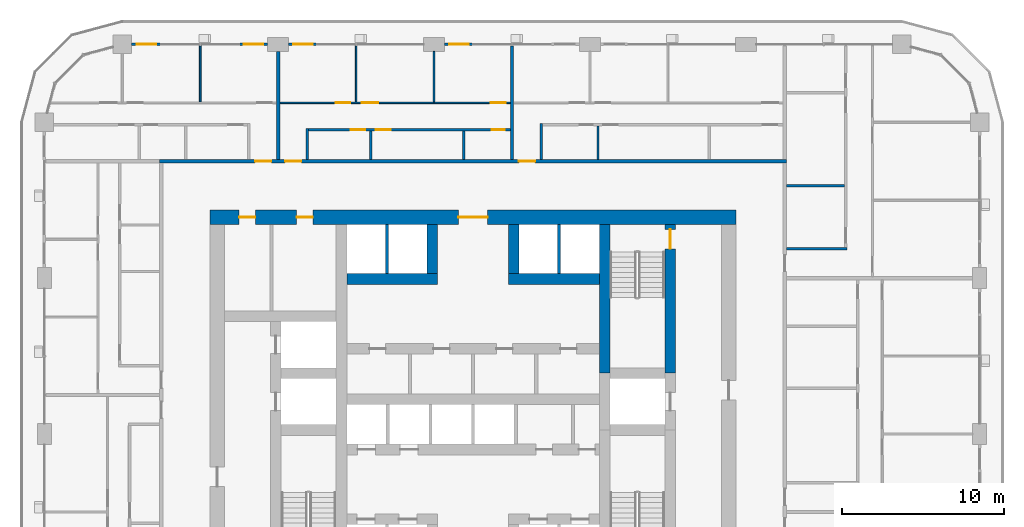
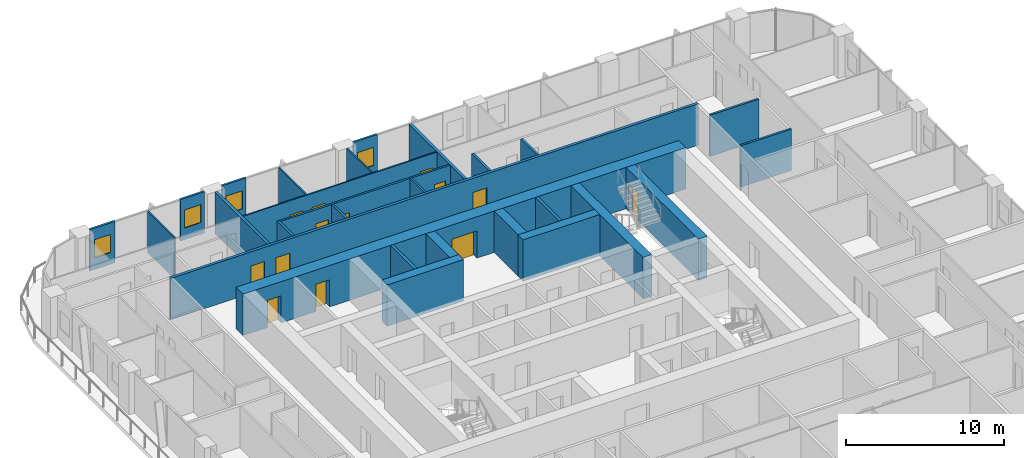
# One storey, part 14 of 22: 28 walls, 13 doors, 4 windows, 17 openings.
"""IFC4 building model written with IfcOpenShell, lengths in metres."""

from ifc_helpers import new_model, si_unit, direction, frame, frame_2d, origin, place, context, subcontext, project, spatial, rectangle, extrude, material, layer, layer_set, type_object, element, fill, save


model = new_model("IFC4")

# Units and contexts
model_context = context("Model", 3, precision=1e-05, world=origin(), true_north=direction((0.0, 1.0)))
body_context = subcontext(model_context, "Body", "Model", "MODEL_VIEW")
ifc_project = project(units=[si_unit("LENGTHUNIT", "METRE"), si_unit("AREAUNIT", "SQUARE_METRE"), si_unit("VOLUMEUNIT", "CUBIC_METRE"), si_unit("PLANEANGLEUNIT", "RADIAN"), si_unit("MASSUNIT", "GRAM", prefix="KILO")], contexts=[model_context])

# Site, building, storey
site_placement = place(None, origin())
site = spatial("IfcSite", under=ifc_project, at=site_placement, CompositionType="ELEMENT")
building_placement = place(site_placement, origin())
building = spatial("IfcBuilding", under=site, at=building_placement, Name="Madar Terraces", CompositionType="ELEMENT")
storey_placement = place(building_placement, frame((0.0, 0.0, 69.800048828125)))
storey = spatial("IfcBuildingStorey", under=building, at=storey_placement, Name="L17", CompositionType="ELEMENT", Elevation=69.800048828125)

# Wall
ifc_material_1 = material(Name="Concrete C80/95", Category="concrete")
ifc_layer_1 = layer(ifc_material_1, 0.64990234375)
ifc_layer_set_1 = layer_set([ifc_layer_1], Name="Concrete C80/95 (CIW2 RC wall 650)")
wall_type_1 = type_object("IfcWallType", Name="CIW2 RC wall 650", PredefinedType="SHEAR", material=ifc_layer_set_1)
wall_1_placement = place(storey_placement, frame((39.300048828125, 27.75, 0.0), z_axis=(0.0, 0.0, 1.0), x_axis=(0.0, 1.0, 0.0)))
element("IfcWall", 1, at=wall_1_placement, inside=storey, type_object=wall_type_1, Name="CORE SHAFT WALL", PredefinedType="SHEAR", context=body_context, shape_type="SweptSolid", body=[
    extrude(rectangle(XDim=9.14990234375, YDim=0.64990234375, at=frame_2d((4.574951171875, 0.0))), origin(), (0.0, 0.0, 1.0), 3.199951171875),
])

# Wall, opening, door
wall_2_placement = place(storey_placement, frame((43.35009765625, 27.75, 0.0), z_axis=(0.0, 0.0, 1.0), x_axis=(0.0, 1.0, 0.0)))
wall_2 = element("IfcWall", 2, at=wall_2_placement, inside=storey, type_object=wall_type_1, Name="CORE SHAFT WALL", PredefinedType="SHEAR", context=body_context, shape_type="SweptSolid", body=[
    extrude(rectangle(XDim=9.14990234375, YDim=0.64990234375, at=frame_2d((4.574951171875, 0.0))), origin(), (0.0, 0.0, 1.0), 3.199951171875),
])
opening_1_placement = place(wall_2_placement, frame((7.64990234375, 0.0, 0.0)))
opening_1 = element("IfcOpeningElement", 3, at=opening_1_placement, cuts=wall_2, Name="Opening SD1", PredefinedType="OPENING", context=body_context, shape_type="SweptSolid", body=[
    extrude(rectangle(XDim=1.199951171875, YDim=2.10009765625, at=frame_2d((0.60009765625, 1.050048828125))), frame((0.0, 0.3349609375, 0.0), z_axis=(0.0, -1.0, 0.0), x_axis=(1.0, 0.0, 0.0)), (0.0, 0.0, 1.0), 0.669921875),
])
ifc_material_2 = material(Name="Steel door leaf", Category="steel")
door_type_1 = type_object("IfcDoorType", Name="Stair door 1200 x 2100", OperationType="NOTDEFINED", PredefinedType="DOOR", material=ifc_material_2)
door_1_placement = place(opening_1_placement, origin())
door_1 = element("IfcDoor", 4, at=door_1_placement, inside=storey, type_object=door_type_1, Name="STAIR DOOR", OperationType="SINGLE_SWING_LEFT", OverallHeight=2.10009765625, OverallWidth=1.199951171875, PredefinedType="DOOR", context=body_context, shape_type="SweptSolid", body=[
    extrude(rectangle(XDim=1.199951171875, YDim=2.10009765625, at=frame_2d((0.60009765625, 1.050048828125))), frame((0.0, 0.02490234375, 0.0), z_axis=(0.0, -1.0, 0.0), x_axis=(1.0, 0.0, 0.0)), (0.0, 0.0, 1.0), 0.050048828125),
])
fill(opening_1, door_1)

# Walls
wall_3_placement = place(storey_placement, frame((23.425048828125, 33.550048828125, 0.0), z_axis=(0.0, 0.0, 1.0), x_axis=(1.0, 0.0, 0.0)))
element("IfcWall", 5, at=wall_3_placement, inside=storey, type_object=wall_type_1, Name="CORE SHAFT WALL", PredefinedType="SHEAR", context=body_context, shape_type="SweptSolid", body=[
    extrude(rectangle(XDim=5.599853515625, YDim=0.64990234375, at=frame_2d((2.7998046875, 0.0))), origin(), (0.0, 0.0, 1.0), 3.199951171875),
])
wall_4_placement = place(storey_placement, frame((33.375, 33.550048828125, 0.0), z_axis=(0.0, 0.0, 1.0), x_axis=(1.0, 0.0, 0.0)))
element("IfcWall", 6, at=wall_4_placement, inside=storey, type_object=wall_type_1, Name="CORE SHAFT WALL", PredefinedType="SHEAR", context=body_context, shape_type="SweptSolid", body=[
    extrude(rectangle(XDim=5.60009765625, YDim=0.64990234375, at=frame_2d((2.800048828125, 0.0))), origin(), (0.0, 0.0, 1.0), 3.199951171875),
])
for number, where, z_axis, x_axis, name in (
    (7, (28.699951171875, 33.875, 0.0), (0.0, 0.0, 1.0), (0.0, 1.0, 0.0), "CORE SHAFT WALL"),
    (8, (33.699951171875, 33.875, 0.0), (0.0, 0.0, 1.0), (0.0, 1.0, 0.0), "CORE SHAFT WALL"),
):
    element("IfcWall", number, at=place(storey_placement, frame(where, z_axis=z_axis, x_axis=x_axis)), inside=storey, type_object=wall_type_1, Name=name, PredefinedType="SHEAR", context=body_context, shape_type="SweptSolid", body=[
        extrude(rectangle(XDim=3.02490234375, YDim=0.64990234375, at=frame_2d((1.512451171875, 0.0))), origin(), (0.0, 0.0, 1.0), 3.199951171875),
    ])

# Wall, openings, doors
ifc_material_3 = material(Name="Concrete C80/95", Category="concrete")
ifc_layer_2 = layer(ifc_material_3, 0.89990234375)
ifc_layer_set_2 = layer_set([ifc_layer_2], Name="Concrete C80/95 (CRW2 RC wall 900)")
wall_type_2 = type_object("IfcWallType", Name="CRW2 RC wall 900", PredefinedType="SHEAR", material=ifc_layer_set_2)
wall_5_placement = place(storey_placement, frame((15.0, 37.35009765625, 0.0), z_axis=(0.0, 0.0, 1.0), x_axis=(1.0, 0.0, 0.0)))
wall_5 = element("IfcWall", 9, at=wall_5_placement, inside=storey, type_object=wall_type_2, Name="CORE OUTER WALL", PredefinedType="SHEAR", context=body_context, shape_type="SweptSolid", body=[
    extrude(rectangle(XDim=32.39990234375, YDim=0.89990234375, at=frame_2d((16.199951171875, 0.0))), origin(), (0.0, 0.0, 1.0), 3.199951171875),
])
opening_2_placement = place(wall_5_placement, frame((15.300048828125, 0.0, 0.0)))
opening_2 = element("IfcOpeningElement", 10, at=opening_2_placement, cuts=wall_5, Name="Opening KD1", PredefinedType="OPENING", context=body_context, shape_type="SweptSolid", body=[
    extrude(rectangle(XDim=1.800048828125, YDim=2.10009765625, at=frame_2d((0.89990234375, 1.050048828125))), frame((0.0, 0.4599609375, 0.0), z_axis=(0.0, -1.0, 0.0), x_axis=(1.0, 0.0, 0.0)), (0.0, 0.0, 1.0), 0.919921875),
])
opening_3_placement = place(wall_5_placement, frame((1.793701171875, 0.0, 0.0)))
opening_3 = element("IfcOpeningElement", 11, at=opening_3_placement, cuts=wall_5, Name="Opening KD2", PredefinedType="OPENING", context=body_context, shape_type="SweptSolid", body=[
    extrude(rectangle(XDim=1.0, YDim=2.10009765625, at=frame_2d((0.5, 1.050048828125))), frame((0.0, 0.4599609375, 0.0), z_axis=(0.0, -1.0, 0.0), x_axis=(1.0, 0.0, 0.0)), (0.0, 0.0, 1.0), 0.919921875),
])
opening_4_placement = place(wall_5_placement, frame((5.331298828125, 0.0, 0.0)))
opening_4 = element("IfcOpeningElement", 12, at=opening_4_placement, cuts=wall_5, Name="Opening KD2", PredefinedType="OPENING", context=body_context, shape_type="SweptSolid", body=[
    extrude(rectangle(XDim=1.0, YDim=2.10009765625, at=frame_2d((0.5, 1.050048828125))), frame((0.0, 0.4599609375, 0.0), z_axis=(0.0, -1.0, 0.0), x_axis=(1.0, 0.0, 0.0)), (0.0, 0.0, 1.0), 0.919921875),
])
ifc_material_4 = material(Name="Steel door leaf", Category="steel")
door_type_2 = type_object("IfcDoorType", Name="Lobby door pair 1800 x 2100", OperationType="DOUBLE_DOOR_SINGLE_SWING", PredefinedType="DOOR", material=ifc_material_4)
door_2_placement = place(opening_2_placement, origin())
door_2 = element("IfcDoor", 13, at=door_2_placement, inside=storey, type_object=door_type_2, Name="LIFT LOBBY DOOR", OperationType="DOUBLE_DOOR_SINGLE_SWING", OverallHeight=2.10009765625, OverallWidth=1.800048828125, PredefinedType="DOOR", context=body_context, shape_type="SweptSolid", body=[
    extrude(rectangle(XDim=1.800048828125, YDim=2.10009765625, at=frame_2d((0.89990234375, 1.050048828125))), frame((0.0, 0.02490234375, 0.0), z_axis=(0.0, -1.0, 0.0), x_axis=(1.0, 0.0, 0.0)), (0.0, 0.0, 1.0), 0.050048828125),
])
fill(opening_2, door_2)
ifc_material_5 = material(Name="Steel door leaf", Category="steel")
door_type_3 = type_object("IfcDoorType", Name="Service room door 1000 x 2100", OperationType="NOTDEFINED", PredefinedType="DOOR", material=ifc_material_5)
door_3_placement = place(opening_3_placement, origin())
door_3 = element("IfcDoor", 14, at=door_3_placement, inside=storey, type_object=door_type_3, Name="SERVICE ROOM DOOR", OperationType="SINGLE_SWING_RIGHT", OverallHeight=2.10009765625, OverallWidth=1.0, PredefinedType="DOOR", context=body_context, shape_type="SweptSolid", body=[
    extrude(rectangle(XDim=1.0, YDim=2.10009765625, at=frame_2d((0.5, 1.050048828125))), frame((0.0, 0.02490234375, 0.0), z_axis=(0.0, -1.0, 0.0), x_axis=(1.0, 0.0, 0.0)), (0.0, 0.0, 1.0), 0.050048828125),
])
fill(opening_3, door_3)
door_4_placement = place(opening_4_placement, origin())
door_4 = element("IfcDoor", 15, at=door_4_placement, inside=storey, type_object=door_type_3, Name="SERVICE ROOM DOOR", OperationType="SINGLE_SWING_LEFT", OverallHeight=2.10009765625, OverallWidth=1.0, PredefinedType="DOOR", context=body_context, shape_type="SweptSolid", body=[
    extrude(rectangle(XDim=1.0, YDim=2.10009765625, at=frame_2d((0.5, 1.050048828125))), frame((0.0, 0.02490234375, 0.0), z_axis=(0.0, -1.0, 0.0), x_axis=(1.0, 0.0, 0.0)), (0.0, 0.0, 1.0), 0.050048828125),
])
fill(opening_4, door_4)

# Walls
ifc_material_6 = material(Name="Concrete C40/50", Category="concrete")
ifc_layer_3 = layer(ifc_material_6, 0.199951171875)
ifc_layer_set_3 = layer_set([ifc_layer_3], Name="Core shaft dividing wall 200 C40/50")
wall_type_3 = type_object("IfcWallType", Name="Core shaft dividing wall 200 C40/50", PredefinedType="SOLIDWALL", material=ifc_layer_set_3)
for number, where, z_axis, x_axis, name in (
    (16, (25.89990234375, 33.875, 0.0), (0.0, 0.0, 1.0), (0.0, 1.0, 0.0), "SHAFT DIVIDING WALL"),
    (17, (36.5, 33.875, 0.0), (0.0, 0.0, 1.0), (0.0, 1.0, 0.0), "SHAFT DIVIDING WALL"),
):
    element("IfcWall", number, at=place(storey_placement, frame(where, z_axis=z_axis, x_axis=x_axis)), inside=storey, type_object=wall_type_3, Name=name, PredefinedType="SOLIDWALL", context=body_context, shape_type="SweptSolid", body=[
        extrude(rectangle(XDim=3.02490234375, YDim=0.199951171875, at=frame_2d((1.512451171875, 0.0))), origin(), (0.0, 0.0, 1.0), 3.199951171875),
    ])

# Wall, opening, window
ifc_material_7 = material(Name="Aluminium composite panel, black, over insulated backing", Category="aluminium")
ifc_layer_4 = layer(ifc_material_7, 0.14990234375)
ifc_layer_set_4 = layer_set([ifc_layer_4], Name="Facade bay panel 150")
wall_type_4 = type_object("IfcWallType", Name="Facade bay panel 150", PredefinedType="SOLIDWALL", material=ifc_layer_set_4)
wall_6_placement = place(storey_placement, frame((31.199951171875, 48.0, 0.0), z_axis=(0.0, 0.0, 1.0), x_axis=(-1.0, 0.0, 0.0)))
wall_6 = element("IfcWall", 18, at=wall_6_placement, inside=storey, type_object=wall_type_4, Name="Facade bay panel", PredefinedType="SOLIDWALL", context=body_context, shape_type="SweptSolid", body=[
    extrude(rectangle(XDim=1.75, YDim=0.14990234375, at=frame_2d((0.875, 0.0))), origin(), (0.0, 0.0, 1.0), 3.199951171875),
])
opening_5_placement = place(wall_6_placement, frame((0.27490234375, 0.0, 0.89990234375)))
opening_5 = element("IfcOpeningElement", 19, at=opening_5_placement, cuts=wall_6, Name="Opening W1", PredefinedType="OPENING", context=body_context, shape_type="SweptSolid", body=[
    extrude(rectangle(XDim=1.199951171875, YDim=1.39990234375, at=frame_2d((0.60009765625, 0.699951171875))), frame((0.0, 0.0849609375, 0.0), z_axis=(0.0, -1.0, 0.0), x_axis=(1.0, 0.0, 0.0)), (0.0, 0.0, 1.0), 0.169921875),
])
ifc_material_8 = material(Name="Glass, clear, with black aluminium frame", Category="aluminium")
window_type = type_object("IfcWindowType", Name="Vent window 1200 x 1400", PartitioningType="SINGLE_PANEL", PredefinedType="WINDOW", material=ifc_material_8)
window_1_placement = place(opening_5_placement, origin())
window_1 = element("IfcWindow", 20, at=window_1_placement, inside=storey, type_object=window_type, Name="Operable vent window", OverallHeight=1.39990234375, OverallWidth=1.199951171875, PartitioningType="SINGLE_PANEL", PredefinedType="WINDOW", context=body_context, shape_type="SweptSolid", body=[
    extrude(rectangle(XDim=1.199951171875, YDim=1.39990234375, at=frame_2d((0.60009765625, 0.699951171875))), frame((0.0, 0.030029296875, 0.0), z_axis=(0.0, -1.0, 0.0), x_axis=(1.0, 0.0, 0.0)), (0.0, 0.0, 1.0), 0.06005859375),
])
fill(opening_5, window_1)

wall_7_placement = place(storey_placement, frame((21.60009765625, 48.0, 0.0), z_axis=(0.0, 0.0, 1.0), x_axis=(-1.0, 0.0, 0.0)))
wall_7 = element("IfcWall", 21, at=wall_7_placement, inside=storey, type_object=wall_type_4, Name="Facade bay panel", PredefinedType="SOLIDWALL", context=body_context, shape_type="SweptSolid", body=[
    extrude(rectangle(XDim=1.75, YDim=0.14990234375, at=frame_2d((0.875, 0.0))), origin(), (0.0, 0.0, 1.0), 3.199951171875),
])
opening_6_placement = place(wall_7_placement, frame((0.27490234375, 0.0, 0.89990234375)))
opening_6 = element("IfcOpeningElement", 22, at=opening_6_placement, cuts=wall_7, Name="Opening W1", PredefinedType="OPENING", context=body_context, shape_type="SweptSolid", body=[
    extrude(rectangle(XDim=1.199951171875, YDim=1.39990234375, at=frame_2d((0.60009765625, 0.699951171875))), frame((0.0, 0.0849609375, 0.0), z_axis=(0.0, -1.0, 0.0), x_axis=(1.0, 0.0, 0.0)), (0.0, 0.0, 1.0), 0.169921875),
])
window_2_placement = place(opening_6_placement, origin())
window_2 = element("IfcWindow", 23, at=window_2_placement, inside=storey, type_object=window_type, Name="Operable vent window", OverallHeight=1.39990234375, OverallWidth=1.199951171875, PartitioningType="SINGLE_PANEL", PredefinedType="WINDOW", context=body_context, shape_type="SweptSolid", body=[
    extrude(rectangle(XDim=1.199951171875, YDim=1.39990234375, at=frame_2d((0.60009765625, 0.699951171875))), frame((0.0, 0.030029296875, 0.0), z_axis=(0.0, -1.0, 0.0), x_axis=(1.0, 0.0, 0.0)), (0.0, 0.0, 1.0), 0.06005859375),
])
fill(opening_6, window_2)

wall_8_placement = place(storey_placement, frame((18.550048828125, 48.0, 0.0), z_axis=(0.0, 0.0, 1.0), x_axis=(-1.0, 0.0, 0.0)))
wall_8 = element("IfcWall", 24, at=wall_8_placement, inside=storey, type_object=wall_type_4, Name="Facade bay panel", PredefinedType="SOLIDWALL", context=body_context, shape_type="SweptSolid", body=[
    extrude(rectangle(XDim=1.75, YDim=0.14990234375, at=frame_2d((0.875, 0.0))), origin(), (0.0, 0.0, 1.0), 3.199951171875),
])
opening_7_placement = place(wall_8_placement, frame((0.27490234375, 0.0, 0.89990234375)))
opening_7 = element("IfcOpeningElement", 25, at=opening_7_placement, cuts=wall_8, Name="Opening W1", PredefinedType="OPENING", context=body_context, shape_type="SweptSolid", body=[
    extrude(rectangle(XDim=1.199951171875, YDim=1.39990234375, at=frame_2d((0.60009765625, 0.699951171875))), frame((0.0, 0.0849609375, 0.0), z_axis=(0.0, -1.0, 0.0), x_axis=(1.0, 0.0, 0.0)), (0.0, 0.0, 1.0), 0.169921875),
])
window_3_placement = place(opening_7_placement, origin())
window_3 = element("IfcWindow", 26, at=window_3_placement, inside=storey, type_object=window_type, Name="Operable vent window", OverallHeight=1.39990234375, OverallWidth=1.199951171875, PartitioningType="SINGLE_PANEL", PredefinedType="WINDOW", context=body_context, shape_type="SweptSolid", body=[
    extrude(rectangle(XDim=1.199951171875, YDim=1.39990234375, at=frame_2d((0.60009765625, 0.699951171875))), frame((0.0, 0.030029296875, 0.0), z_axis=(0.0, -1.0, 0.0), x_axis=(1.0, 0.0, 0.0)), (0.0, 0.0, 1.0), 0.06005859375),
])
fill(opening_7, window_3)

wall_9_placement = place(storey_placement, frame((12.0, 48.0, 0.0), z_axis=(0.0, 0.0, 1.0), x_axis=(-1.0, 0.0, 0.0)))
wall_9 = element("IfcWall", 27, at=wall_9_placement, inside=storey, type_object=wall_type_4, Name="Facade bay panel", PredefinedType="SOLIDWALL", context=body_context, shape_type="SweptSolid", body=[
    extrude(rectangle(XDim=1.824951171875, YDim=0.14990234375, at=frame_2d((0.91259765625, 0.0))), origin(), (0.0, 0.0, 1.0), 3.199951171875),
])
opening_8_placement = place(wall_9_placement, frame((0.3125, 0.0, 0.89990234375)))
opening_8 = element("IfcOpeningElement", 28, at=opening_8_placement, cuts=wall_9, Name="Opening W1", PredefinedType="OPENING", context=body_context, shape_type="SweptSolid", body=[
    extrude(rectangle(XDim=1.199951171875, YDim=1.39990234375, at=frame_2d((0.60009765625, 0.699951171875))), frame((0.0, 0.0849609375, 0.0), z_axis=(0.0, -1.0, 0.0), x_axis=(1.0, 0.0, 0.0)), (0.0, 0.0, 1.0), 0.169921875),
])
window_4_placement = place(opening_8_placement, origin())
window_4 = element("IfcWindow", 29, at=window_4_placement, inside=storey, type_object=window_type, Name="Operable vent window", OverallHeight=1.39990234375, OverallWidth=1.199951171875, PartitioningType="SINGLE_PANEL", PredefinedType="WINDOW", context=body_context, shape_type="SweptSolid", body=[
    extrude(rectangle(XDim=1.199951171875, YDim=1.39990234375, at=frame_2d((0.60009765625, 0.699951171875))), frame((0.0, 0.030029296875, 0.0), z_axis=(0.0, -1.0, 0.0), x_axis=(1.0, 0.0, 0.0)), (0.0, 0.0, 1.0), 0.06005859375),
])
fill(opening_8, window_4)

# Walls
ifc_material_9 = material(Name="Gypsum board on steel studs", Category="steel")
ifc_layer_5 = layer(ifc_material_9, 0.10009765625)
ifc_layer_set_5 = layer_set([ifc_layer_5], Name="Flat partition 100")
wall_type_5 = type_object("IfcWallType", Name="Flat partition 100", PredefinedType="PARTITIONING", material=ifc_layer_set_5)
wall_10_placement = place(storey_placement, frame((24.0, 44.449951171875, 0.0), z_axis=(0.0, 0.0, 1.0), x_axis=(0.0, 1.0, 0.0)))
element("IfcWall", 30, at=wall_10_placement, inside=storey, type_object=wall_type_5, Name="Flat partition 100", PredefinedType="PARTITIONING", context=body_context, shape_type="SweptSolid", body=[
    extrude(rectangle(XDim=3.449951171875, YDim=0.10009765625, at=frame_2d((1.72509765625, 0.0))), origin(), (0.0, 0.0, 1.0), 3.199951171875),
])
wall_11_placement = place(storey_placement, frame((28.800048828125, 44.449951171875, 0.0), z_axis=(0.0, 0.0, 1.0), x_axis=(0.0, 1.0, 0.0)))
element("IfcWall", 31, at=wall_11_placement, inside=storey, type_object=wall_type_5, Name="Flat partition 100", PredefinedType="PARTITIONING", context=body_context, shape_type="SweptSolid", body=[
    extrude(rectangle(XDim=3.125, YDim=0.10009765625, at=frame_2d((1.5625, 0.0))), origin(), (0.0, 0.0, 1.0), 3.199951171875),
])

# Wall, openings, doors
wall_12_placement = place(storey_placement, frame((19.300048828125, 44.39990234375, 0.0), z_axis=(0.0, 0.0, 1.0), x_axis=(1.0, 0.0, 0.0)))
wall_12 = element("IfcWall", 32, at=wall_12_placement, inside=storey, type_object=wall_type_5, Name="Flat partition 100", PredefinedType="PARTITIONING", context=body_context, shape_type="SweptSolid", body=[
    extrude(rectangle(XDim=14.199951171875, YDim=0.10009765625, at=frame_2d((7.10009765625, 0.0))), origin(), (0.0, 0.0, 1.0), 3.199951171875),
])
opening_9_placement = place(wall_12_placement, frame((3.449951171875, 0.0, 0.0)))
opening_9 = element("IfcOpeningElement", 33, at=opening_9_placement, cuts=wall_12, Name="Opening D2", PredefinedType="OPENING", context=body_context, shape_type="SweptSolid", body=[
    extrude(rectangle(XDim=0.89990234375, YDim=2.10009765625, at=frame_2d((0.449951171875, 1.050048828125))), frame((0.0, 0.06005859375, 0.0), z_axis=(0.0, -1.0, 0.0), x_axis=(1.0, 0.0, 0.0)), (0.0, 0.0, 1.0), 0.1201171875),
])
opening_10_placement = place(wall_12_placement, frame((5.050048828125, 0.0, 0.0)))
opening_10 = element("IfcOpeningElement", 34, at=opening_10_placement, cuts=wall_12, Name="Opening D3", PredefinedType="OPENING", context=body_context, shape_type="SweptSolid", body=[
    extrude(rectangle(XDim=1.0, YDim=2.10009765625, at=frame_2d((0.5, 1.050048828125))), frame((0.0, 0.06005859375, 0.0), z_axis=(0.0, -1.0, 0.0), x_axis=(1.0, 0.0, 0.0)), (0.0, 0.0, 1.0), 0.1201171875),
])
opening_11_placement = place(wall_12_placement, frame((13.0, 0.0, 0.0)))
opening_11 = element("IfcOpeningElement", 35, at=opening_11_placement, cuts=wall_12, Name="Opening D2", PredefinedType="OPENING", context=body_context, shape_type="SweptSolid", body=[
    extrude(rectangle(XDim=0.89990234375, YDim=2.10009765625, at=frame_2d((0.449951171875, 1.050048828125))), frame((0.0, 0.06005859375, 0.0), z_axis=(0.0, -1.0, 0.0), x_axis=(1.0, 0.0, 0.0)), (0.0, 0.0, 1.0), 0.1201171875),
])
ifc_material_10 = material(Name="Timber door leaf", Category="wood")
door_type_4 = type_object("IfcDoorType", Name="Flat living room door 1000", OperationType="NOTDEFINED", PredefinedType="DOOR", material=ifc_material_10)
door_5_placement = place(opening_10_placement, origin())
door_5 = element("IfcDoor", 36, at=door_5_placement, inside=storey, type_object=door_type_4, Name="Flat living room door 1000", OperationType="SINGLE_SWING_LEFT", OverallHeight=2.10009765625, OverallWidth=1.0, PredefinedType="DOOR", context=body_context, shape_type="SweptSolid", body=[
    extrude(rectangle(XDim=1.0, YDim=2.10009765625, at=frame_2d((0.5, 1.050048828125))), frame((0.0, 0.02490234375, 0.0), z_axis=(0.0, -1.0, 0.0), x_axis=(1.0, 0.0, 0.0)), (0.0, 0.0, 1.0), 0.050048828125),
])
fill(opening_10, door_5)
ifc_material_11 = material(Name="Timber door leaf", Category="wood")
door_type_5 = type_object("IfcDoorType", Name="Flat room door 900", OperationType="NOTDEFINED", PredefinedType="DOOR", material=ifc_material_11)
door_6_placement = place(opening_9_placement, origin())
door_6 = element("IfcDoor", 37, at=door_6_placement, inside=storey, type_object=door_type_5, Name="Flat room door 900", OperationType="SINGLE_SWING_RIGHT", OverallHeight=2.10009765625, OverallWidth=0.89990234375, PredefinedType="DOOR", context=body_context, shape_type="SweptSolid", body=[
    extrude(rectangle(XDim=0.89990234375, YDim=2.10009765625, at=frame_2d((0.449951171875, 1.050048828125))), frame((0.0, 0.02490234375, 0.0), z_axis=(0.0, -1.0, 0.0), x_axis=(1.0, 0.0, 0.0)), (0.0, 0.0, 1.0), 0.050048828125),
])
fill(opening_9, door_6)
door_7_placement = place(opening_11_placement, origin())
door_7 = element("IfcDoor", 38, at=door_7_placement, inside=storey, type_object=door_type_5, Name="Flat room door 900", OperationType="SINGLE_SWING_RIGHT", OverallHeight=2.10009765625, OverallWidth=0.89990234375, PredefinedType="DOOR", context=body_context, shape_type="SweptSolid", body=[
    extrude(rectangle(XDim=0.89990234375, YDim=2.10009765625, at=frame_2d((0.449951171875, 1.050048828125))), frame((0.0, 0.02490234375, 0.0), z_axis=(0.0, -1.0, 0.0), x_axis=(1.0, 0.0, 0.0)), (0.0, 0.0, 1.0), 0.050048828125),
])
fill(opening_11, door_7)

# Wall
wall_13_placement = place(storey_placement, frame((14.39990234375, 44.449951171875, 0.0), z_axis=(0.0, 0.0, 1.0), x_axis=(0.0, 1.0, 0.0)))
element("IfcWall", 39, at=wall_13_placement, inside=storey, type_object=wall_type_5, Name="Flat partition 100", PredefinedType="PARTITIONING", context=body_context, shape_type="SweptSolid", body=[
    extrude(rectangle(XDim=3.449951171875, YDim=0.10009765625, at=frame_2d((1.72509765625, 0.0))), origin(), (0.0, 0.0, 1.0), 3.199951171875),
])

# Wall, openings, doors
ifc_material_12 = material(Name="Lightweight blockwork", Category="masonry")
ifc_layer_6 = layer(ifc_material_12, 0.199951171875)
ifc_layer_set_6 = layer_set([ifc_layer_6], Name="Flat party and entrance wall 200")
wall_type_6 = type_object("IfcWallType", Name="Flat party and entrance wall 200", PredefinedType="PARTITIONING", material=ifc_layer_set_6)
wall_14_placement = place(storey_placement, frame((11.89990234375, 40.800048828125, 0.0), z_axis=(0.0, 0.0, 1.0), x_axis=(1.0, 0.0, 0.0)))
wall_14 = element("IfcWall", 40, at=wall_14_placement, inside=storey, type_object=wall_type_6, Name="Flat party and entrance wall 200", PredefinedType="PARTITIONING", context=body_context, shape_type="SweptSolid", body=[
    extrude(rectangle(XDim=38.60009765625, YDim=0.199951171875, at=frame_2d((19.300048828125, 0.0))), origin(), (0.0, 0.0, 1.0), 3.199951171875),
])
opening_12_placement = place(wall_14_placement, frame((22.125, 0.0, 0.0)))
opening_12 = element("IfcOpeningElement", 41, at=opening_12_placement, cuts=wall_14, Name="Opening D1", PredefinedType="OPENING", context=body_context, shape_type="SweptSolid", body=[
    extrude(rectangle(XDim=1.0, YDim=2.10009765625, at=frame_2d((0.5, 1.050048828125))), frame((0.0, 0.10986328125, 0.0), z_axis=(0.0, -1.0, 0.0), x_axis=(1.0, 0.0, 0.0)), (0.0, 0.0, 1.0), 0.219970703125),
])
opening_13_placement = place(wall_14_placement, frame((7.72509765625, 0.0, 0.0)))
opening_13 = element("IfcOpeningElement", 42, at=opening_13_placement, cuts=wall_14, Name="Opening D1", PredefinedType="OPENING", context=body_context, shape_type="SweptSolid", body=[
    extrude(rectangle(XDim=1.0, YDim=2.10009765625, at=frame_2d((0.5, 1.050048828125))), frame((0.0, 0.10986328125, 0.0), z_axis=(0.0, -1.0, 0.0), x_axis=(1.0, 0.0, 0.0)), (0.0, 0.0, 1.0), 0.219970703125),
])
opening_14_placement = place(wall_14_placement, frame((5.875, 0.0, 0.0)))
opening_14 = element("IfcOpeningElement", 43, at=opening_14_placement, cuts=wall_14, Name="Opening D1", PredefinedType="OPENING", context=body_context, shape_type="SweptSolid", body=[
    extrude(rectangle(XDim=1.0, YDim=2.10009765625, at=frame_2d((0.5, 1.050048828125))), frame((0.0, 0.10986328125, 0.0), z_axis=(0.0, -1.0, 0.0), x_axis=(1.0, 0.0, 0.0)), (0.0, 0.0, 1.0), 0.219970703125),
])
ifc_material_13 = material(Name="Timber fire door leaf", Category="wood")
door_type_6 = type_object("IfcDoorType", Name="Flat entrance door 1000 FD30S", OperationType="NOTDEFINED", PredefinedType="DOOR", material=ifc_material_13)
door_8_placement = place(opening_12_placement, origin())
door_8 = element("IfcDoor", 44, at=door_8_placement, inside=storey, type_object=door_type_6, Name="Flat entrance door 1000 FD30S", OperationType="SINGLE_SWING_LEFT", OverallHeight=2.10009765625, OverallWidth=1.0, PredefinedType="DOOR", context=body_context, shape_type="SweptSolid", body=[
    extrude(rectangle(XDim=1.0, YDim=2.10009765625, at=frame_2d((0.5, 1.050048828125))), frame((0.0, 0.02490234375, 0.0), z_axis=(0.0, -1.0, 0.0), x_axis=(1.0, 0.0, 0.0)), (0.0, 0.0, 1.0), 0.050048828125),
])
fill(opening_12, door_8)
door_9_placement = place(opening_13_placement, origin())
door_9 = element("IfcDoor", 45, at=door_9_placement, inside=storey, type_object=door_type_6, Name="Flat entrance door 1000 FD30S", OperationType="SINGLE_SWING_LEFT", OverallHeight=2.10009765625, OverallWidth=1.0, PredefinedType="DOOR", context=body_context, shape_type="SweptSolid", body=[
    extrude(rectangle(XDim=1.0, YDim=2.10009765625, at=frame_2d((0.5, 1.050048828125))), frame((0.0, 0.02490234375, 0.0), z_axis=(0.0, -1.0, 0.0), x_axis=(1.0, 0.0, 0.0)), (0.0, 0.0, 1.0), 0.050048828125),
])
fill(opening_13, door_9)
door_10_placement = place(opening_14_placement, origin())
door_10 = element("IfcDoor", 46, at=door_10_placement, inside=storey, type_object=door_type_6, Name="Flat entrance door 1000 FD30S", OperationType="SINGLE_SWING_RIGHT", OverallHeight=2.10009765625, OverallWidth=1.0, PredefinedType="DOOR", context=body_context, shape_type="SweptSolid", body=[
    extrude(rectangle(XDim=1.0, YDim=2.10009765625, at=frame_2d((0.5, 1.050048828125))), frame((0.0, 0.02490234375, 0.0), z_axis=(0.0, -1.0, 0.0), x_axis=(1.0, 0.0, 0.0)), (0.0, 0.0, 1.0), 0.050048828125),
])
fill(opening_14, door_10)

# Walls
wall_15_placement = place(storey_placement, frame((33.60009765625, 47.89990234375, 0.0), z_axis=(0.0, 0.0, 1.0), x_axis=(0.0, -1.0, 0.0)))
element("IfcWall", 47, at=wall_15_placement, inside=storey, type_object=wall_type_6, Name="Flat party and entrance wall 200", PredefinedType="PARTITIONING", context=body_context, shape_type="SweptSolid", body=[
    extrude(rectangle(XDim=7.0, YDim=0.199951171875, at=frame_2d((3.5, 0.0))), origin(), (0.0, 0.0, 1.0), 3.199951171875),
])
wall_16_placement = place(storey_placement, frame((19.199951171875, 47.574951171875, 0.0), z_axis=(0.0, 0.0, 1.0), x_axis=(0.0, -1.0, 0.0)))
element("IfcWall", 48, at=wall_16_placement, inside=storey, type_object=wall_type_6, Name="Flat party and entrance wall 200", PredefinedType="PARTITIONING", context=body_context, shape_type="SweptSolid", body=[
    extrude(rectangle(XDim=6.675048828125, YDim=0.199951171875, at=frame_2d((3.33740234375, 0.0))), origin(), (0.0, 0.0, 1.0), 3.199951171875),
])
ifc_material_14 = material(Name="Lightweight blockwork", Category="masonry")
ifc_layer_7 = layer(ifc_material_14, 0.14990234375)
ifc_layer_set_7 = layer_set([ifc_layer_7], Name="Flat wet-room partition 150")
wall_type_7 = type_object("IfcWallType", Name="Flat wet-room partition 150", PredefinedType="PARTITIONING", material=ifc_layer_set_7)
wall_17_placement = place(storey_placement, frame((50.5, 39.298095703125, 0.0), z_axis=(0.0, 0.0, 1.0), x_axis=(1.0, 0.0, 0.0)))
element("IfcWall", 49, at=wall_17_placement, inside=storey, type_object=wall_type_7, Name="Flat wet-room partition 150", PredefinedType="PARTITIONING", context=body_context, shape_type="SweptSolid", body=[
    extrude(rectangle(XDim=3.574951171875, YDim=0.14990234375, at=frame_2d((1.78759765625, 0.0))), origin(), (0.0, 0.0, 1.0), 3.199951171875),
])
wall_18_placement = place(storey_placement, frame((50.5, 35.39990234375, 0.0), z_axis=(0.0, 0.0, 1.0), x_axis=(1.0, 0.0, 0.0)))
element("IfcWall", 50, at=wall_18_placement, inside=storey, type_object=wall_type_7, Name="Flat wet-room partition 150", PredefinedType="PARTITIONING", context=body_context, shape_type="SweptSolid", body=[
    extrude(rectangle(XDim=3.72509765625, YDim=0.14990234375, at=frame_2d((1.862548828125, 0.0))), origin(), (0.0, 0.0, 1.0), 3.199951171875),
])
wall_19_placement = place(storey_placement, frame((38.896240234375, 40.89990234375, 0.0), z_axis=(0.0, 0.0, 1.0), x_axis=(0.0, 1.0, 0.0)))
element("IfcWall", 51, at=wall_19_placement, inside=storey, type_object=wall_type_7, Name="Flat wet-room partition 150", PredefinedType="PARTITIONING", context=body_context, shape_type="SweptSolid", body=[
    extrude(rectangle(XDim=2.0751953125, YDim=0.14990234375, at=frame_2d((1.03759765625, 0.0))), origin(), (0.0, 0.0, 1.0), 3.199951171875),
])
wall_20_placement = place(storey_placement, frame((35.39990234375, 40.89990234375, 0.0), z_axis=(0.0, 0.0, 1.0), x_axis=(0.0, 1.0, 0.0)))
element("IfcWall", 52, at=wall_20_placement, inside=storey, type_object=wall_type_7, Name="Flat wet-room partition 150", PredefinedType="PARTITIONING", context=body_context, shape_type="SweptSolid", body=[
    extrude(rectangle(XDim=2.22509765625, YDim=0.14990234375, at=frame_2d((1.112548828125, 0.0))), origin(), (0.0, 0.0, 1.0), 3.199951171875),
])
for number, where, z_axis, x_axis, name in (
    (53, (24.898193359375, 40.89990234375, 0.0), (0.0, 0.0, 1.0), (0.0, 1.0, 0.0), "Flat wet-room partition 150"),
    (54, (30.6328125, 40.89990234375, 0.0), (0.0, 0.0, 1.0), (0.0, 1.0, 0.0), "Flat wet-room partition 150"),
):
    element("IfcWall", number, at=place(storey_placement, frame(where, z_axis=z_axis, x_axis=x_axis)), inside=storey, type_object=wall_type_7, Name=name, PredefinedType="PARTITIONING", context=body_context, shape_type="SweptSolid", body=[
        extrude(rectangle(XDim=1.775146484375, YDim=0.14990234375, at=frame_2d((0.8876953125, 0.0))), origin(), (0.0, 0.0, 1.0), 3.199951171875),
    ])
wall_21_placement = place(storey_placement, frame((21.0, 40.89990234375, 0.0), z_axis=(0.0, 0.0, 1.0), x_axis=(0.0, 1.0, 0.0)))
element("IfcWall", 55, at=wall_21_placement, inside=storey, type_object=wall_type_7, Name="Flat wet-room partition 150", PredefinedType="PARTITIONING", context=body_context, shape_type="SweptSolid", body=[
    extrude(rectangle(XDim=1.925048828125, YDim=0.14990234375, at=frame_2d((0.96240234375, 0.0))), origin(), (0.0, 0.0, 1.0), 3.199951171875),
])

# Wall, openings, doors
wall_22_placement = place(storey_placement, frame((33.5, 42.75, 0.0), z_axis=(0.0, 0.0, 1.0), x_axis=(-1.0, 0.0, 0.0)))
wall_22 = element("IfcWall", 56, at=wall_22_placement, inside=storey, type_object=wall_type_7, Name="Flat wet-room partition 150", PredefinedType="PARTITIONING", context=body_context, shape_type="SweptSolid", body=[
    extrude(rectangle(XDim=12.425048828125, YDim=0.14990234375, at=frame_2d((6.21240234375, 0.0))), origin(), (0.0, 0.0, 1.0), 3.199951171875),
])
opening_15_placement = place(wall_22_placement, frame((8.927001953125, 0.0, 0.0)))
opening_15 = element("IfcOpeningElement", 57, at=opening_15_placement, cuts=wall_22, Name="Opening D5", PredefinedType="OPENING", context=body_context, shape_type="SweptSolid", body=[
    extrude(rectangle(XDim=0.89990234375, YDim=2.10009765625, at=frame_2d((0.449951171875, 1.050048828125))), frame((0.0, 0.0849609375, 0.0), z_axis=(0.0, -1.0, 0.0), x_axis=(1.0, 0.0, 0.0)), (0.0, 0.0, 1.0), 0.169921875),
])
opening_16_placement = place(wall_22_placement, frame((7.376953125, 0.0, 0.0)))
opening_16 = element("IfcOpeningElement", 58, at=opening_16_placement, cuts=wall_22, Name="Opening D2", PredefinedType="OPENING", context=body_context, shape_type="SweptSolid", body=[
    extrude(rectangle(XDim=0.89990234375, YDim=2.10009765625, at=frame_2d((0.449951171875, 1.050048828125))), frame((0.0, 0.0849609375, 0.0), z_axis=(0.0, -1.0, 0.0), x_axis=(1.0, 0.0, 0.0)), (0.0, 0.0, 1.0), 0.169921875),
])
opening_17_placement = place(wall_22_placement, frame((0.35009765625, 0.0, 0.0)))
opening_17 = element("IfcOpeningElement", 59, at=opening_17_placement, cuts=wall_22, Name="Opening D4", PredefinedType="OPENING", context=body_context, shape_type="SweptSolid", body=[
    extrude(rectangle(XDim=0.800048828125, YDim=2.10009765625, at=frame_2d((0.39990234375, 1.050048828125))), frame((0.0, 0.0849609375, 0.0), z_axis=(0.0, -1.0, 0.0), x_axis=(1.0, 0.0, 0.0)), (0.0, 0.0, 1.0), 0.169921875),
])
ifc_material_15 = material(Name="Timber door leaf", Category="wood")
door_type_7 = type_object("IfcDoorType", Name="Flat accessible bathroom door 900", OperationType="NOTDEFINED", PredefinedType="DOOR", material=ifc_material_15)
door_11_placement = place(opening_15_placement, origin())
door_11 = element("IfcDoor", 60, at=door_11_placement, inside=storey, type_object=door_type_7, Name="Flat accessible bathroom door 900", OperationType="SINGLE_SWING_LEFT", OverallHeight=2.10009765625, OverallWidth=0.89990234375, PredefinedType="DOOR", context=body_context, shape_type="SweptSolid", body=[
    extrude(rectangle(XDim=0.89990234375, YDim=2.10009765625, at=frame_2d((0.449951171875, 1.050048828125))), frame((0.0, 0.02490234375, 0.0), z_axis=(0.0, -1.0, 0.0), x_axis=(1.0, 0.0, 0.0)), (0.0, 0.0, 1.0), 0.050048828125),
])
fill(opening_15, door_11)
ifc_material_16 = material(Name="Timber door leaf", Category="wood")
door_type_8 = type_object("IfcDoorType", Name="Flat bathroom door 800", OperationType="NOTDEFINED", PredefinedType="DOOR", material=ifc_material_16)
door_12_placement = place(opening_17_placement, origin())
door_12 = element("IfcDoor", 61, at=door_12_placement, inside=storey, type_object=door_type_8, Name="Flat bathroom door 800", OperationType="SINGLE_SWING_LEFT", OverallHeight=2.10009765625, OverallWidth=0.800048828125, PredefinedType="DOOR", context=body_context, shape_type="SweptSolid", body=[
    extrude(rectangle(XDim=0.800048828125, YDim=2.10009765625, at=frame_2d((0.39990234375, 1.050048828125))), frame((0.0, 0.02490234375, 0.0), z_axis=(0.0, -1.0, 0.0), x_axis=(1.0, 0.0, 0.0)), (0.0, 0.0, 1.0), 0.050048828125),
])
fill(opening_17, door_12)
door_13_placement = place(opening_16_placement, origin())
door_13 = element("IfcDoor", 62, at=door_13_placement, inside=storey, type_object=door_type_5, Name="Flat room door 900", OperationType="SINGLE_SWING_RIGHT", OverallHeight=2.10009765625, OverallWidth=0.89990234375, PredefinedType="DOOR", context=body_context, shape_type="SweptSolid", body=[
    extrude(rectangle(XDim=0.89990234375, YDim=2.10009765625, at=frame_2d((0.449951171875, 1.050048828125))), frame((0.0, 0.02490234375, 0.0), z_axis=(0.0, -1.0, 0.0), x_axis=(1.0, 0.0, 0.0)), (0.0, 0.0, 1.0), 0.050048828125),
])
fill(opening_16, door_13)

save(model, "model.ifc")
